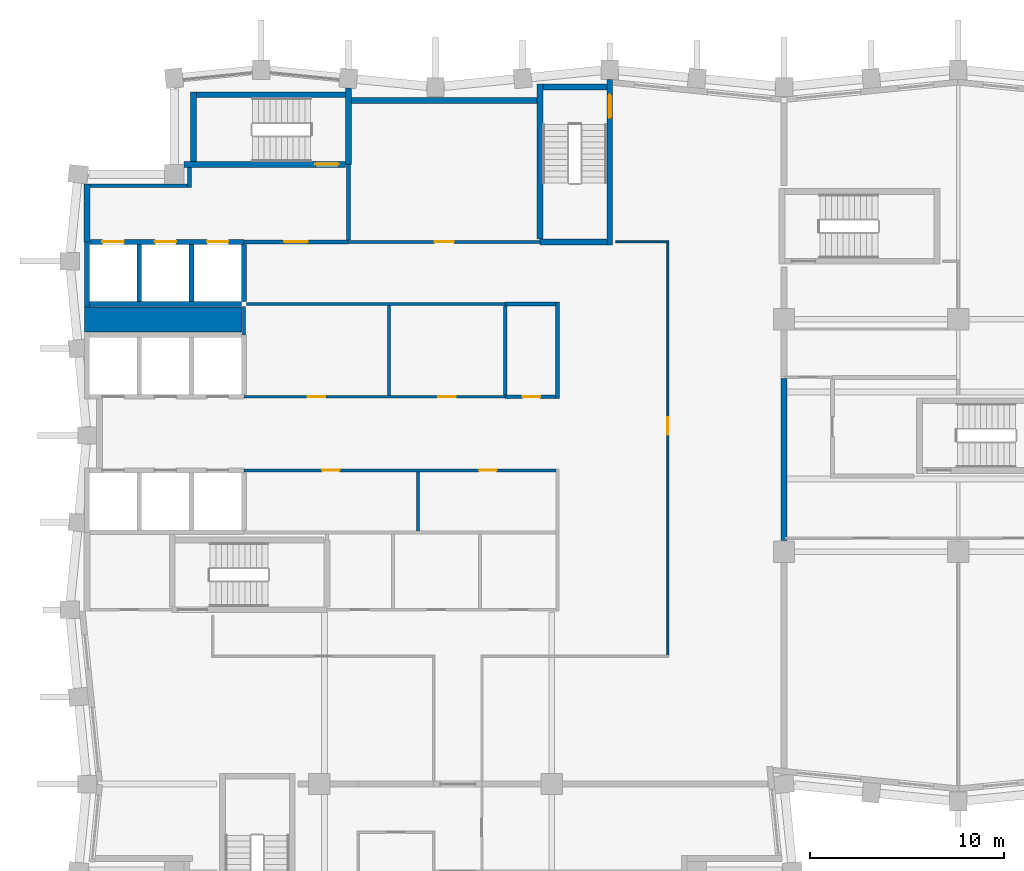
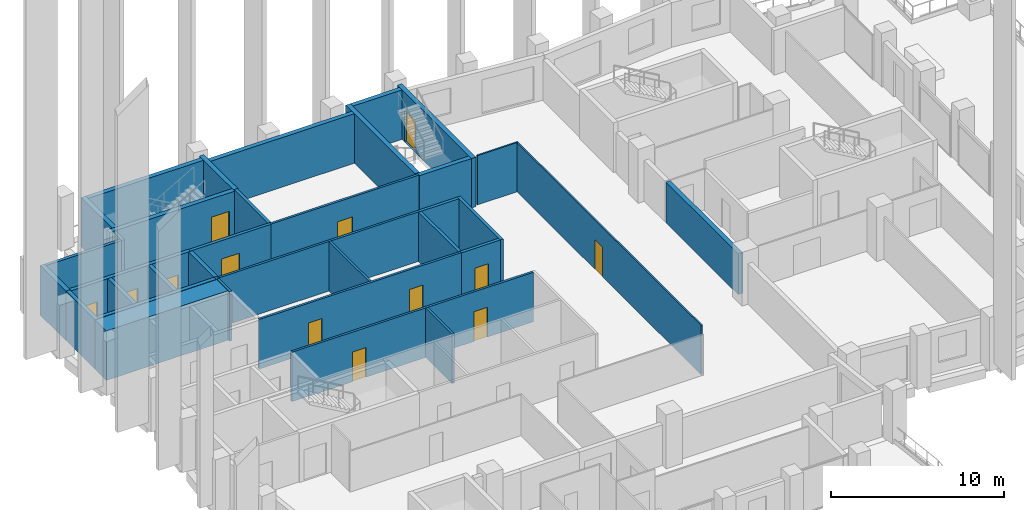
# One storey, part 13 of 19: 35 walls, 13 doors, 13 openings.
"""IFC4 building model written with IfcOpenShell, lengths in metres."""

from ifc_helpers import new_model, si_unit, direction, frame, frame_2d, origin, place, context, subcontext, project, spatial, rectangle, extrude, material, layer, layer_set, type_object, element, fill, save


model = new_model("IFC4")

# Units and contexts
model_context = context("Model", 3, precision=1e-05, world=origin(), true_north=direction((0.0, 1.0)))
body_context = subcontext(model_context, "Body", "Model", "MODEL_VIEW")
ifc_project = project(units=[si_unit("LENGTHUNIT", "METRE"), si_unit("AREAUNIT", "SQUARE_METRE"), si_unit("VOLUMEUNIT", "CUBIC_METRE"), si_unit("PLANEANGLEUNIT", "RADIAN"), si_unit("MASSUNIT", "GRAM", prefix="KILO")], contexts=[model_context])

# Site, building, storey
site_placement = place(None, origin())
site = spatial("IfcSite", under=ifc_project, at=site_placement, CompositionType="ELEMENT")
building_placement = place(site_placement, origin())
building = spatial("IfcBuilding", under=site, at=building_placement, Name="Brondeck Convention Tower", CompositionType="ELEMENT")
storey_placement = place(building_placement, frame((0.0, 0.0, 198.800048828125)))
storey = spatial("IfcBuildingStorey", under=building, at=storey_placement, Name="L48", CompositionType="ELEMENT", Elevation=198.800048828125)

# Walls
ifc_material_1 = material(Name="Concrete compartment wall C30/37", Category="concrete")
ifc_layer_1 = layer(ifc_material_1, 0.300048828125)
ifc_layer_set_1 = layer_set([ifc_layer_1], Name="Compartment wall 300")
wall_type_1 = type_object("IfcWallType", Name="Compartment wall 300", PredefinedType="PARTITIONING", material=ifc_layer_set_1)
wall_1_placement = place(storey_placement, frame((36.0, 39.570068359375, 0.0), z_axis=(0.0, 0.0, 1.0), x_axis=(0.0, 1.0, 0.0)))
element("IfcWall", 1, at=wall_1_placement, inside=storey, type_object=wall_type_1, Name="FLR-L48-W032", PredefinedType="PARTITIONING", context=body_context, shape_type="SweptSolid", body=[
    extrude(rectangle(XDim=8.3798828125, YDim=0.300048828125, at=frame_2d((4.18994140625, 0.0))), origin(), (0.0, 0.0, 1.0), 2.8798828125),
])
ifc_material_2 = material(Name="Concrete C50/60", Category="concrete")
ifc_layer_2 = layer(ifc_material_2, 0.199951171875)
ifc_layer_set_2 = layer_set([ifc_layer_2], Name="Core beam-seat wall 200 Concrete C50/60")
wall_type_2 = type_object("IfcWallType", Name="Core beam-seat wall 200 Concrete C50/60", PredefinedType="SHEAR", material=ifc_layer_set_2)
wall_2_placement = place(storey_placement, frame((24.300048828125, 46.89990234375, 0.0), z_axis=(0.0, 0.0, 1.0), x_axis=(0.0, 1.0, 0.0)))
element("IfcWall", 2, at=wall_2_placement, inside=storey, type_object=wall_type_2, Name="L48 core wall", PredefinedType="SHEAR", context=body_context, shape_type="SweptSolid", body=[
    extrude(rectangle(XDim=5.0, YDim=0.199951171875, at=frame_2d((2.5, 0.0))), origin(), (0.0, 0.0, 1.0), 3.5),
])
ifc_layer_3 = layer(ifc_material_2, 0.300048828125)
ifc_layer_set_3 = layer_set([ifc_layer_3], Name="Core outer wall 300 Concrete C50/60")
wall_type_3 = type_object("IfcWallType", Name="Core outer wall 300 Concrete C50/60", PredefinedType="SHEAR", material=ifc_layer_set_3)
wall_3_placement = place(storey_placement, frame((13.64990234375, 62.300048828125, 0.0), z_axis=(0.0, 0.0, 1.0), x_axis=(1.0, 0.0, 0.0)))
element("IfcWall", 3, at=wall_3_placement, inside=storey, type_object=wall_type_3, Name="L48 core wall", PredefinedType="SHEAR", context=body_context, shape_type="SweptSolid", body=[
    extrude(rectangle(XDim=9.60009765625, YDim=0.300048828125, at=frame_2d((4.800048828125, 0.0))), origin(), (0.0, 0.0, 1.0), 3.5),
])
wall_4_placement = place(storey_placement, frame((0.0, 55.0, 0.0), z_axis=(0.0, 0.0, 1.0), x_axis=(0.0, 1.0, 0.0)))
element("IfcWall", 4, at=wall_4_placement, inside=storey, type_object=wall_type_3, Name="L48 core wall", PredefinedType="SHEAR", context=body_context, shape_type="SweptSolid", body=[
    extrude(rectangle(XDim=3.0, YDim=0.300048828125, at=frame_2d((1.5, 0.0))), origin(), (0.0, 0.0, 1.0), 3.5),
])

# Wall, openings, doors
ifc_material_3 = material(Name="Fire-rated gypsum board partition")
ifc_layer_4 = layer(ifc_material_3, 0.14990234375)
ifc_layer_set_4 = layer_set([ifc_layer_4], Name="Core partition 150 EI 60")
wall_type_4 = type_object("IfcWallType", Name="Core partition 150 EI 60", PredefinedType="PARTITIONING", material=ifc_layer_set_4)
wall_5_placement = place(storey_placement, frame((8.10009765625, 43.199951171875, 0.0), z_axis=(0.0, 0.0, 1.0), x_axis=(1.0, 0.0, 0.0)))
wall_5 = element("IfcWall", 5, at=wall_5_placement, inside=storey, type_object=wall_type_4, Name="L48 core wall", PredefinedType="PARTITIONING", context=body_context, shape_type="SweptSolid", body=[
    extrude(rectangle(XDim=16.125, YDim=0.14990234375, at=frame_2d((8.0625, 0.0))), origin(), (0.0, 0.0, 1.0), 3.5),
])
opening_1_placement = place(wall_5_placement, frame((4.050048828125, 0.0, 0.0)))
opening_1 = element("IfcOpeningElement", 6, at=opening_1_placement, cuts=wall_5, Name="Opening C27-09", PredefinedType="OPENING", context=body_context, shape_type="SweptSolid", body=[
    extrude(rectangle(XDim=0.89990234375, YDim=2.10009765625, at=frame_2d((0.449951171875, 1.050048828125))), frame((0.0, 0.0849609375, 0.0), z_axis=(0.0, -1.0, 0.0), x_axis=(1.0, 0.0, 0.0)), (0.0, 0.0, 1.0), 0.169921875),
])
opening_2_placement = place(wall_5_placement, frame((12.14990234375, 0.0, 0.0)))
opening_2 = element("IfcOpeningElement", 7, at=opening_2_placement, cuts=wall_5, Name="Opening C27-10", PredefinedType="OPENING", context=body_context, shape_type="SweptSolid", body=[
    extrude(rectangle(XDim=0.89990234375, YDim=2.10009765625, at=frame_2d((0.449951171875, 1.050048828125))), frame((0.0, 0.0849609375, 0.0), z_axis=(0.0, -1.0, 0.0), x_axis=(1.0, 0.0, 0.0)), (0.0, 0.0, 1.0), 0.169921875),
])
ifc_material_4 = material(Name="Steel fire door", Category="steel")
door_type_1 = type_object("IfcDoorType", Name="Room door 900x2100 EI 60", OperationType="NOTDEFINED", PredefinedType="DOOR", material=ifc_material_4)
door_1_placement = place(opening_1_placement, origin())
door_1 = element("IfcDoor", 8, at=door_1_placement, inside=storey, type_object=door_type_1, Name="L48 Room door FZ-S-8.1-1", OperationType="SINGLE_SWING_RIGHT", OverallHeight=2.10009765625, OverallWidth=0.89990234375, PredefinedType="DOOR", context=body_context, shape_type="SweptSolid", body=[
    extrude(rectangle(XDim=0.89990234375, YDim=2.10009765625, at=frame_2d((0.449951171875, 1.050048828125))), frame((0.0, 0.02490234375, 0.0), z_axis=(0.0, -1.0, 0.0), x_axis=(1.0, 0.0, 0.0)), (0.0, 0.0, 1.0), 0.050048828125),
])
fill(opening_1, door_1)
door_2_placement = place(opening_2_placement, origin())
door_2 = element("IfcDoor", 9, at=door_2_placement, inside=storey, type_object=door_type_1, Name="L48 Room door FZ-S-8.1-2", OperationType="SINGLE_SWING_LEFT", OverallHeight=2.10009765625, OverallWidth=0.89990234375, PredefinedType="DOOR", context=body_context, shape_type="SweptSolid", body=[
    extrude(rectangle(XDim=0.89990234375, YDim=2.10009765625, at=frame_2d((0.449951171875, 1.050048828125))), frame((0.0, 0.02490234375, 0.0), z_axis=(0.0, -1.0, 0.0), x_axis=(1.0, 0.0, 0.0)), (0.0, 0.0, 1.0), 0.050048828125),
])
fill(opening_2, door_2)

wall_6_placement = place(storey_placement, frame((8.10009765625, 47.0, 0.0), z_axis=(0.0, 0.0, 1.0), x_axis=(1.0, 0.0, 0.0)))
wall_6 = element("IfcWall", 10, at=wall_6_placement, inside=storey, type_object=wall_type_4, Name="L48 core wall", PredefinedType="PARTITIONING", context=body_context, shape_type="SweptSolid", body=[
    extrude(rectangle(XDim=13.5, YDim=0.14990234375, at=frame_2d((6.75, 0.0))), origin(), (0.0, 0.0, 1.0), 3.5),
])
opening_3_placement = place(wall_6_placement, frame((3.300048828125, 0.0, 0.0)))
opening_3 = element("IfcOpeningElement", 11, at=opening_3_placement, cuts=wall_6, Name="Opening C27-07", PredefinedType="OPENING", context=body_context, shape_type="SweptSolid", body=[
    extrude(rectangle(XDim=0.89990234375, YDim=2.10009765625, at=frame_2d((0.449951171875, 1.050048828125))), frame((0.0, 0.0849609375, 0.0), z_axis=(0.0, -1.0, 0.0), x_axis=(1.0, 0.0, 0.0)), (0.0, 0.0, 1.0), 0.169921875),
])
opening_4_placement = place(wall_6_placement, frame((10.050048828125, 0.0, 0.0)))
opening_4 = element("IfcOpeningElement", 12, at=opening_4_placement, cuts=wall_6, Name="Opening C27-08", PredefinedType="OPENING", context=body_context, shape_type="SweptSolid", body=[
    extrude(rectangle(XDim=0.89990234375, YDim=2.10009765625, at=frame_2d((0.449951171875, 1.050048828125))), frame((0.0, 0.0849609375, 0.0), z_axis=(0.0, -1.0, 0.0), x_axis=(1.0, 0.0, 0.0)), (0.0, 0.0, 1.0), 0.169921875),
])
door_3_placement = place(opening_3_placement, origin())
door_3 = element("IfcDoor", 13, at=door_3_placement, inside=storey, type_object=door_type_1, Name="L48 Room door FZ-N-8.1-1", OperationType="SINGLE_SWING_LEFT", OverallHeight=2.10009765625, OverallWidth=0.89990234375, PredefinedType="DOOR", context=body_context, shape_type="SweptSolid", body=[
    extrude(rectangle(XDim=0.89990234375, YDim=2.10009765625, at=frame_2d((0.449951171875, 1.050048828125))), frame((0.0, 0.02490234375, 0.0), z_axis=(0.0, -1.0, 0.0), x_axis=(1.0, 0.0, 0.0)), (0.0, 0.0, 1.0), 0.050048828125),
])
fill(opening_3, door_3)
door_4_placement = place(opening_4_placement, origin())
door_4 = element("IfcDoor", 14, at=door_4_placement, inside=storey, type_object=door_type_1, Name="L48 Room door FZ-N-8.1-2", OperationType="SINGLE_SWING_RIGHT", OverallHeight=2.10009765625, OverallWidth=0.89990234375, PredefinedType="DOOR", context=body_context, shape_type="SweptSolid", body=[
    extrude(rectangle(XDim=0.89990234375, YDim=2.10009765625, at=frame_2d((0.449951171875, 1.050048828125))), frame((0.0, 0.02490234375, 0.0), z_axis=(0.0, -1.0, 0.0), x_axis=(1.0, 0.0, 0.0)), (0.0, 0.0, 1.0), 0.050048828125),
])
fill(opening_4, door_4)

# Wall
wall_7_placement = place(storey_placement, frame((8.22509765625, 51.800048828125, 0.0), z_axis=(0.0, 0.0, 1.0), x_axis=(1.0, 0.0, 0.0)))
element("IfcWall", 15, at=wall_7_placement, inside=storey, type_object=wall_type_4, Name="L48 core wall", PredefinedType="PARTITIONING", context=body_context, shape_type="SweptSolid", body=[
    extrude(rectangle(XDim=13.375, YDim=0.14990234375, at=frame_2d((6.6875, 0.0))), origin(), (0.0, 0.0, 1.0), 3.5),
])

# Wall, opening, door
wall_8_placement = place(storey_placement, frame((13.5, 55.0, 0.0), z_axis=(0.0, 0.0, 1.0), x_axis=(1.0, 0.0, 0.0)))
wall_8 = element("IfcWall", 16, at=wall_8_placement, inside=storey, type_object=wall_type_4, Name="L48 core wall", PredefinedType="PARTITIONING", context=body_context, shape_type="SweptSolid", body=[
    extrude(rectangle(XDim=9.89990234375, YDim=0.14990234375, at=frame_2d((4.949951171875, 0.0))), origin(), (0.0, 0.0, 1.0), 3.5),
])
opening_5_placement = place(wall_8_placement, frame((4.449951171875, 0.0, 0.0)))
opening_5 = element("IfcOpeningElement", 17, at=opening_5_placement, cuts=wall_8, Name="Opening C27-11", PredefinedType="OPENING", context=body_context, shape_type="SweptSolid", body=[
    extrude(rectangle(XDim=1.0, YDim=2.10009765625, at=frame_2d((0.5, 1.050048828125))), frame((0.0, 0.0849609375, 0.0), z_axis=(0.0, -1.0, 0.0), x_axis=(1.0, 0.0, 0.0)), (0.0, 0.0, 1.0), 0.169921875),
])
door_type_2 = type_object("IfcDoorType", Name="Room door 1000x2100 EI 60", OperationType="NOTDEFINED", PredefinedType="DOOR", material=ifc_material_4)
door_5_placement = place(opening_5_placement, origin())
door_5 = element("IfcDoor", 18, at=door_5_placement, inside=storey, type_object=door_type_2, Name="L48 Room door NE-1", OperationType="SINGLE_SWING_LEFT", OverallHeight=2.10009765625, OverallWidth=1.0, PredefinedType="DOOR", context=body_context, shape_type="SweptSolid", body=[
    extrude(rectangle(XDim=1.0, YDim=2.10009765625, at=frame_2d((0.5, 1.050048828125))), frame((0.0, 0.02490234375, 0.0), z_axis=(0.0, -1.0, 0.0), x_axis=(1.0, 0.0, 0.0)), (0.0, 0.0, 1.0), 0.050048828125),
])
fill(opening_5, door_5)

# Walls
wall_9_placement = place(storey_placement, frame((8.10009765625, 50.199951171875, 0.0), z_axis=(0.0, 0.0, 1.0), x_axis=(0.0, 1.0, 0.0)))
element("IfcWall", 19, at=wall_9_placement, inside=storey, type_object=wall_type_4, Name="L48 core wall", PredefinedType="PARTITIONING", context=body_context, shape_type="SweptSolid", body=[
    extrude(rectangle(XDim=1.47509765625, YDim=0.14990234375, at=frame_2d((0.737548828125, 0.0))), origin(), (0.0, 0.0, 1.0), 3.5),
])
wall_10_placement = place(storey_placement, frame((15.60009765625, 47.074951171875, 0.0), z_axis=(0.0, 0.0, 1.0), x_axis=(0.0, 1.0, 0.0)))
element("IfcWall", 20, at=wall_10_placement, inside=storey, type_object=wall_type_4, Name="L48 core wall", PredefinedType="PARTITIONING", context=body_context, shape_type="SweptSolid", body=[
    extrude(rectangle(XDim=4.650146484375, YDim=0.14990234375, at=frame_2d((2.3251953125, 0.0))), origin(), (0.0, 0.0, 1.0), 3.5),
])
wall_11_placement = place(storey_placement, frame((17.10009765625, 40.074951171875, 0.0), z_axis=(0.0, 0.0, 1.0), x_axis=(0.0, 1.0, 0.0)))
element("IfcWall", 21, at=wall_11_placement, inside=storey, type_object=wall_type_4, Name="L48 core wall", PredefinedType="PARTITIONING", context=body_context, shape_type="SweptSolid", body=[
    extrude(rectangle(XDim=3.050048828125, YDim=0.14990234375, at=frame_2d((1.52490234375, 0.0))), origin(), (0.0, 0.0, 1.0), 3.5),
])
ifc_layer_5 = layer(ifc_material_2, 1.300048828125)
ifc_layer_set_5 = layer_set([ifc_layer_5], Name="Core shear wall 1300 Concrete C50/60")
wall_type_5 = type_object("IfcWallType", Name="Core shear wall 1300 Concrete C50/60", PredefinedType="SHEAR", material=ifc_layer_set_5)
wall_12_placement = place(storey_placement, frame((-0.125, 51.0, 0.0), z_axis=(0.0, 0.0, 1.0), x_axis=(1.0, 0.0, 0.0)))
element("IfcWall", 22, at=wall_12_placement, inside=storey, type_object=wall_type_5, Name="L48 core wall", PredefinedType="SHEAR", context=body_context, shape_type="SweptSolid", body=[
    extrude(rectangle(XDim=8.125, YDim=1.300048828125, at=frame_2d((4.0625, 0.0))), origin(), (0.0, 0.0, 1.0), 3.5),
])

# Wall, opening, door
ifc_layer_6 = layer(ifc_material_3, 0.199951171875)
ifc_layer_set_6 = layer_set([ifc_layer_6], Name="Firefighting lobby wall 200 EI 120")
wall_type_6 = type_object("IfcWallType", Name="Firefighting lobby wall 200 EI 120", PredefinedType="PARTITIONING", material=ifc_layer_set_6)
wall_13_placement = place(storey_placement, frame((8.10009765625, 55.0, 0.0), z_axis=(0.0, 0.0, 1.0), x_axis=(1.0, 0.0, 0.0)))
wall_13 = element("IfcWall", 23, at=wall_13_placement, inside=storey, type_object=wall_type_6, Name="L48 core wall", PredefinedType="PARTITIONING", context=body_context, shape_type="SweptSolid", body=[
    extrude(rectangle(XDim=5.39990234375, YDim=0.199951171875, at=frame_2d((2.699951171875, 0.0))), origin(), (0.0, 0.0, 1.0), 3.5),
])
opening_6_placement = place(wall_13_placement, frame((2.10009765625, 0.0, 0.0)))
opening_6 = element("IfcOpeningElement", 24, at=opening_6_placement, cuts=wall_13, Name="Opening C27-01", PredefinedType="OPENING", context=body_context, shape_type="SweptSolid", body=[
    extrude(rectangle(XDim=1.199951171875, YDim=2.199951171875, at=frame_2d((0.60009765625, 1.10009765625))), frame((0.0, 0.10986328125, 0.0), z_axis=(0.0, -1.0, 0.0), x_axis=(1.0, 0.0, 0.0)), (0.0, 0.0, 1.0), 0.219970703125),
])
door_type_3 = type_object("IfcDoorType", Name="Firefighting lobby door 1200x2200 EI 120", OperationType="NOTDEFINED", PredefinedType="DOOR", material=ifc_material_4)
door_6_placement = place(opening_6_placement, origin())
door_6 = element("IfcDoor", 25, at=door_6_placement, inside=storey, type_object=door_type_3, Name="L48 Firefighting lobby door FFL-1", OperationType="SINGLE_SWING_RIGHT", OverallHeight=2.199951171875, OverallWidth=1.199951171875, PredefinedType="DOOR", context=body_context, shape_type="SweptSolid", body=[
    extrude(rectangle(XDim=1.199951171875, YDim=2.199951171875, at=frame_2d((0.60009765625, 1.10009765625))), frame((0.0, 0.02490234375, 0.0), z_axis=(0.0, -1.0, 0.0), x_axis=(1.0, 0.0, 0.0)), (0.0, 0.0, 1.0), 0.050048828125),
])
fill(opening_6, door_6)

# Walls
wall_14_placement = place(storey_placement, frame((0.14990234375, 57.89990234375, 0.0), z_axis=(0.0, 0.0, 1.0), x_axis=(1.0, 0.0, 0.0)))
element("IfcWall", 26, at=wall_14_placement, inside=storey, type_object=wall_type_6, Name="L48 core wall", PredefinedType="PARTITIONING", context=body_context, shape_type="SweptSolid", body=[
    extrude(rectangle(XDim=5.050048828125, YDim=0.199951171875, at=frame_2d((2.52490234375, 0.0))), origin(), (0.0, 0.0, 1.0), 3.5),
])
wall_15_placement = place(storey_placement, frame((5.300048828125, 57.800048828125, 0.0), z_axis=(0.0, 0.0, 1.0), x_axis=(0.0, 1.0, 0.0)))
element("IfcWall", 27, at=wall_15_placement, inside=storey, type_object=wall_type_6, Name="L48 core wall", PredefinedType="PARTITIONING", context=body_context, shape_type="SweptSolid", body=[
    extrude(rectangle(XDim=1.050048828125, YDim=0.199951171875, at=frame_2d((0.52490234375, 0.0))), origin(), (0.0, 0.0, 1.0), 3.5),
])
wall_16_placement = place(storey_placement, frame((13.5, 55.10009765625, 0.0), z_axis=(0.0, 0.0, 1.0), x_axis=(0.0, 1.0, 0.0)))
element("IfcWall", 28, at=wall_16_placement, inside=storey, type_object=wall_type_6, Name="L48 core wall", PredefinedType="PARTITIONING", context=body_context, shape_type="SweptSolid", body=[
    extrude(rectangle(XDim=3.89990234375, YDim=0.199951171875, at=frame_2d((1.949951171875, 0.0))), origin(), (0.0, 0.0, 1.0), 3.5),
])
ifc_layer_7 = layer(ifc_material_2, 0.25)
ifc_layer_set_7 = layer_set([ifc_layer_7], Name="Lift shaft wall 250 Concrete C50/60")
wall_type_7 = type_object("IfcWallType", Name="Lift shaft wall 250 Concrete C50/60", PredefinedType="SHEAR", material=ifc_layer_set_7)
wall_17_placement = place(storey_placement, frame((0.125, 51.800048828125, 0.0), z_axis=(0.0, 0.0, 1.0), x_axis=(1.0, 0.0, 0.0)))
element("IfcWall", 29, at=wall_17_placement, inside=storey, type_object=wall_type_7, Name="L48 core wall", PredefinedType="SHEAR", context=body_context, shape_type="SweptSolid", body=[
    extrude(rectangle(XDim=7.85009765625, YDim=0.25, at=frame_2d((3.925048828125, 0.0))), origin(), (0.0, 0.0, 1.0), 3.5),
])

# Wall, openings, doors
wall_18_placement = place(storey_placement, frame((0.14990234375, 55.0, 0.0), z_axis=(0.0, 0.0, 1.0), x_axis=(1.0, 0.0, 0.0)))
wall_18 = element("IfcWall", 30, at=wall_18_placement, inside=storey, type_object=wall_type_7, Name="L48 core wall", PredefinedType="SHEAR", context=body_context, shape_type="SweptSolid", body=[
    extrude(rectangle(XDim=7.9501953125, YDim=0.25, at=frame_2d((3.97509765625, 0.0))), origin(), (0.0, 0.0, 1.0), 3.5),
])
opening_7_placement = place(wall_18_placement, frame((0.64990234375, 0.0, 0.0)))
opening_7 = element("IfcOpeningElement", 31, at=opening_7_placement, cuts=wall_18, Name="Opening C27-18", PredefinedType="OPENING", context=body_context, shape_type="SweptSolid", body=[
    extrude(rectangle(XDim=1.10009765625, YDim=2.10009765625, at=frame_2d((0.550048828125, 1.050048828125))), frame((0.0, 0.135009765625, 0.0), z_axis=(0.0, -1.0, 0.0), x_axis=(1.0, 0.0, 0.0)), (0.0, 0.0, 1.0), 0.27001953125),
])
opening_8_placement = place(wall_18_placement, frame((3.35009765625, 0.0, 0.0)))
opening_8 = element("IfcOpeningElement", 32, at=opening_8_placement, cuts=wall_18, Name="Opening C27-19", PredefinedType="OPENING", context=body_context, shape_type="SweptSolid", body=[
    extrude(rectangle(XDim=1.10009765625, YDim=2.10009765625, at=frame_2d((0.550048828125, 1.050048828125))), frame((0.0, 0.135009765625, 0.0), z_axis=(0.0, -1.0, 0.0), x_axis=(1.0, 0.0, 0.0)), (0.0, 0.0, 1.0), 0.27001953125),
])
opening_9_placement = place(wall_18_placement, frame((6.050048828125, 0.0, 0.0)))
opening_9 = element("IfcOpeningElement", 33, at=opening_9_placement, cuts=wall_18, Name="Opening C27-20", PredefinedType="OPENING", context=body_context, shape_type="SweptSolid", body=[
    extrude(rectangle(XDim=1.10009765625, YDim=2.10009765625, at=frame_2d((0.550048828125, 1.050048828125))), frame((0.0, 0.135009765625, 0.0), z_axis=(0.0, -1.0, 0.0), x_axis=(1.0, 0.0, 0.0)), (0.0, 0.0, 1.0), 0.27001953125),
])
ifc_material_5 = material(Name="Stainless steel lift door", Category="steel")
door_type_4 = type_object("IfcDoorType", Name="Lift landing door 1100x2100 EI 180", OperationType="DOUBLE_DOOR_SLIDING", PredefinedType="DOOR", material=ifc_material_5)
door_7_placement = place(opening_7_placement, origin())
door_7 = element("IfcDoor", 34, at=door_7_placement, inside=storey, type_object=door_type_4, Name="L48 Lift landing door FF1", OperationType="DOUBLE_DOOR_SLIDING", OverallHeight=2.10009765625, OverallWidth=1.10009765625, PredefinedType="DOOR", context=body_context, shape_type="SweptSolid", body=[
    extrude(rectangle(XDim=1.10009765625, YDim=2.10009765625, at=frame_2d((0.550048828125, 1.050048828125))), frame((0.0, 0.02490234375, 0.0), z_axis=(0.0, -1.0, 0.0), x_axis=(1.0, 0.0, 0.0)), (0.0, 0.0, 1.0), 0.050048828125),
])
fill(opening_7, door_7)
door_8_placement = place(opening_8_placement, origin())
door_8 = element("IfcDoor", 35, at=door_8_placement, inside=storey, type_object=door_type_4, Name="L48 Lift landing door FF2", OperationType="DOUBLE_DOOR_SLIDING", OverallHeight=2.10009765625, OverallWidth=1.10009765625, PredefinedType="DOOR", context=body_context, shape_type="SweptSolid", body=[
    extrude(rectangle(XDim=1.10009765625, YDim=2.10009765625, at=frame_2d((0.550048828125, 1.050048828125))), frame((0.0, 0.02490234375, 0.0), z_axis=(0.0, -1.0, 0.0), x_axis=(1.0, 0.0, 0.0)), (0.0, 0.0, 1.0), 0.050048828125),
])
fill(opening_8, door_8)
door_9_placement = place(opening_9_placement, origin())
door_9 = element("IfcDoor", 36, at=door_9_placement, inside=storey, type_object=door_type_4, Name="L48 Lift landing door FF3", OperationType="DOUBLE_DOOR_SLIDING", OverallHeight=2.10009765625, OverallWidth=1.10009765625, PredefinedType="DOOR", context=body_context, shape_type="SweptSolid", body=[
    extrude(rectangle(XDim=1.10009765625, YDim=2.10009765625, at=frame_2d((0.550048828125, 1.050048828125))), frame((0.0, 0.02490234375, 0.0), z_axis=(0.0, -1.0, 0.0), x_axis=(1.0, 0.0, 0.0)), (0.0, 0.0, 1.0), 0.050048828125),
])
fill(opening_9, door_9)

# Walls
wall_19_placement = place(storey_placement, frame((0.0, 51.64990234375, 0.0), z_axis=(0.0, 0.0, 1.0), x_axis=(0.0, 1.0, 0.0)))
element("IfcWall", 37, at=wall_19_placement, inside=storey, type_object=wall_type_7, Name="L48 core wall", PredefinedType="SHEAR", context=body_context, shape_type="SweptSolid", body=[
    extrude(rectangle(XDim=3.35009765625, YDim=0.25, at=frame_2d((1.675048828125, 0.0))), origin(), (0.0, 0.0, 1.0), 3.5),
])
for number, where, z_axis, x_axis, name in (
    (38, (2.699951171875, 51.925048828125, 0.0), (0.0, 0.0, 1.0), (0.0, 1.0, 0.0), "L48 core wall"),
    (39, (5.39990234375, 51.925048828125, 0.0), (0.0, 0.0, 1.0), (0.0, 1.0, 0.0), "L48 core wall"),
    (40, (8.10009765625, 51.925048828125, 0.0), (0.0, 0.0, 1.0), (0.0, 1.0, 0.0), "L48 core wall"),
):
    element("IfcWall", number, at=place(storey_placement, frame(where, z_axis=z_axis, x_axis=x_axis)), inside=storey, type_object=wall_type_7, Name=name, PredefinedType="SHEAR", context=body_context, shape_type="SweptSolid", body=[
        extrude(rectangle(XDim=2.949951171875, YDim=0.25, at=frame_2d((1.47509765625, 0.0))), origin(), (0.0, 0.0, 1.0), 3.5),
    ])

# Wall, opening, door
ifc_layer_8 = layer(ifc_material_3, 0.199951171875)
ifc_layer_set_8 = layer_set([ifc_layer_8], Name="Riser wall 200 EI 120")
wall_type_8 = type_object("IfcWallType", Name="Riser wall 200 EI 120", PredefinedType="PARTITIONING", material=ifc_layer_set_8)
wall_20_placement = place(storey_placement, frame((21.60009765625, 47.0, 0.0), z_axis=(0.0, 0.0, 1.0), x_axis=(1.0, 0.0, 0.0)))
wall_20 = element("IfcWall", 41, at=wall_20_placement, inside=storey, type_object=wall_type_8, Name="L48 core wall", PredefinedType="PARTITIONING", context=body_context, shape_type="SweptSolid", body=[
    extrude(rectangle(XDim=2.599853515625, YDim=0.199951171875, at=frame_2d((1.2998046875, 0.0))), origin(), (0.0, 0.0, 1.0), 3.5),
])
opening_10_placement = place(wall_20_placement, frame((0.89990234375, 0.0, 0.0)))
opening_10 = element("IfcOpeningElement", 42, at=opening_10_placement, cuts=wall_20, Name="Opening C27-02", PredefinedType="OPENING", context=body_context, shape_type="SweptSolid", body=[
    extrude(rectangle(XDim=0.89990234375, YDim=2.10009765625, at=frame_2d((0.449951171875, 1.050048828125))), frame((0.0, 0.10986328125, 0.0), z_axis=(0.0, -1.0, 0.0), x_axis=(1.0, 0.0, 0.0)), (0.0, 0.0, 1.0), 0.219970703125),
])
door_type_5 = type_object("IfcDoorType", Name="Riser door 900x2100 EI 120", OperationType="NOTDEFINED", PredefinedType="DOOR", material=ifc_material_4)
door_10_placement = place(opening_10_placement, origin())
door_10 = element("IfcDoor", 43, at=door_10_placement, inside=storey, type_object=door_type_5, Name="L48 Riser door EN-1", OperationType="SINGLE_SWING_LEFT", OverallHeight=2.10009765625, OverallWidth=0.89990234375, PredefinedType="DOOR", context=body_context, shape_type="SweptSolid", body=[
    extrude(rectangle(XDim=0.89990234375, YDim=2.10009765625, at=frame_2d((0.449951171875, 1.050048828125))), frame((0.0, 0.02490234375, 0.0), z_axis=(0.0, -1.0, 0.0), x_axis=(1.0, 0.0, 0.0)), (0.0, 0.0, 1.0), 0.050048828125),
])
fill(opening_10, door_10)

# Walls
wall_21_placement = place(storey_placement, frame((21.60009765625, 51.800048828125, 0.0), z_axis=(0.0, 0.0, 1.0), x_axis=(1.0, 0.0, 0.0)))
element("IfcWall", 44, at=wall_21_placement, inside=storey, type_object=wall_type_8, Name="L48 core wall", PredefinedType="PARTITIONING", context=body_context, shape_type="SweptSolid", body=[
    extrude(rectangle(XDim=2.599853515625, YDim=0.199951171875, at=frame_2d((1.2998046875, 0.0))), origin(), (0.0, 0.0, 1.0), 3.5),
])
wall_22_placement = place(storey_placement, frame((21.60009765625, 47.10009765625, 0.0), z_axis=(0.0, 0.0, 1.0), x_axis=(0.0, 1.0, 0.0)))
element("IfcWall", 45, at=wall_22_placement, inside=storey, type_object=wall_type_8, Name="L48 core wall", PredefinedType="PARTITIONING", context=body_context, shape_type="SweptSolid", body=[
    extrude(rectangle(XDim=4.599853515625, YDim=0.199951171875, at=frame_2d((2.2998046875, 0.0))), origin(), (0.0, 0.0, 1.0), 3.5),
])

# Wall, opening, door
ifc_material_6 = material(Name="Gypsum board partition on steel studs", Category="steel")
ifc_layer_9 = layer(ifc_material_6, 0.10009765625)
ifc_layer_set_9 = layer_set([ifc_layer_9], Name="Room partition 100")
wall_type_9 = type_object("IfcWallType", Name="Room partition 100", PredefinedType="PARTITIONING", material=ifc_layer_set_9)
wall_23_placement = place(storey_placement, frame((30.0, 54.949951171875, 0.0), z_axis=(0.0, 0.0, 1.0), x_axis=(0.0, -1.0, 0.0)))
wall_23 = element("IfcWall", 46, at=wall_23_placement, inside=storey, type_object=wall_type_9, Name="FLR-L48-W045", PredefinedType="PARTITIONING", context=body_context, shape_type="SweptSolid", body=[
    extrude(rectangle(XDim=21.300048828125, YDim=0.10009765625, at=frame_2d((10.64990234375, 0.0))), origin(), (0.0, 0.0, 1.0), 3.47998046875),
])
opening_11_placement = place(wall_23_placement, frame((9.0, 0.0, 0.0)))
opening_11 = element("IfcOpeningElement", 47, at=opening_11_placement, cuts=wall_23, Name="Opening OF-K-010", PredefinedType="OPENING", context=body_context, shape_type="SweptSolid", body=[
    extrude(rectangle(XDim=0.89990234375, YDim=2.10009765625, at=frame_2d((0.449951171875, 1.050048828125))), frame((0.0, 0.06005859375, 0.0), z_axis=(0.0, -1.0, 0.0), x_axis=(1.0, 0.0, 0.0)), (0.0, 0.0, 1.0), 0.1201171875),
])
ifc_material_7 = material(Name="Solid timber door leaf", Category="wood")
door_type_6 = type_object("IfcDoorType", Name="Single door 900", OperationType="NOTDEFINED", PredefinedType="DOOR", material=ifc_material_7)
door_11_placement = place(opening_11_placement, origin())
door_11 = element("IfcDoor", 48, at=door_11_placement, inside=storey, type_object=door_type_6, Name="Door OF-K-010", OperationType="SINGLE_SWING_LEFT", OverallHeight=2.10009765625, OverallWidth=0.89990234375, PredefinedType="DOOR", context=body_context, shape_type="SweptSolid", body=[
    extrude(rectangle(XDim=0.89990234375, YDim=2.10009765625, at=frame_2d((0.449951171875, 1.050048828125))), frame((0.0, 0.02490234375, 0.0), z_axis=(0.0, -1.0, 0.0), x_axis=(1.0, 0.0, 0.0)), (0.0, 0.0, 1.0), 0.050048828125),
])
fill(opening_11, door_11)

# Walls
wall_24_placement = place(storey_placement, frame((27.300048828125, 55.0, 0.0), z_axis=(0.0, 0.0, 1.0), x_axis=(1.0, 0.0, 0.0)))
element("IfcWall", 49, at=wall_24_placement, inside=storey, type_object=wall_type_9, Name="FLR-L48-W046", PredefinedType="PARTITIONING", context=body_context, shape_type="SweptSolid", body=[
    extrude(rectangle(XDim=2.75, YDim=0.10009765625, at=frame_2d((1.375, 0.0))), origin(), (0.0, 0.0, 1.0), 3.47998046875),
])
ifc_layer_10 = layer(ifc_material_2, 0.300048828125)
ifc_layer_set_10 = layer_set([ifc_layer_10], Name="Stair enclosure wall 300 Concrete C50/60")
wall_type_10 = type_object("IfcWallType", Name="Stair enclosure wall 300 Concrete C50/60", PredefinedType="SHEAR", material=ifc_layer_set_10)
wall_25_placement = place(storey_placement, frame((23.39990234375, 55.0, 0.0), z_axis=(0.0, 0.0, 1.0), x_axis=(1.0, 0.0, 0.0)))
element("IfcWall", 50, at=wall_25_placement, inside=storey, type_object=wall_type_10, Name="L48 core wall", PredefinedType="SHEAR", context=body_context, shape_type="SweptSolid", body=[
    extrude(rectangle(XDim=3.4501953125, YDim=0.300048828125, at=frame_2d((1.72509765625, 0.0))), origin(), (0.0, 0.0, 1.0), 3.5),
])

# Wall, opening, door
wall_26_placement = place(storey_placement, frame((5.0, 59.0, 0.0), z_axis=(0.0, 0.0, 1.0), x_axis=(1.0, 0.0, 0.0)))
wall_26 = element("IfcWall", 51, at=wall_26_placement, inside=storey, type_object=wall_type_10, Name="L48 core wall", PredefinedType="SHEAR", context=body_context, shape_type="SweptSolid", body=[
    extrude(rectangle(XDim=8.35009765625, YDim=0.300048828125, at=frame_2d((4.175048828125, 0.0))), origin(), (0.0, 0.0, 1.0), 3.5),
])
opening_12_placement = place(wall_26_placement, frame((6.800048828125, 0.0, 0.0)))
opening_12 = element("IfcOpeningElement", 52, at=opening_12_placement, cuts=wall_26, Name="Opening C27-14", PredefinedType="OPENING", context=body_context, shape_type="SweptSolid", body=[
    extrude(rectangle(XDim=1.199951171875, YDim=2.199951171875, at=frame_2d((0.60009765625, 1.10009765625))), frame((0.0, 0.159912109375, 0.0), z_axis=(0.0, -1.0, 0.0), x_axis=(1.0, 0.0, 0.0)), (0.0, 0.0, 1.0), 0.320068359375),
])
door_type_7 = type_object("IfcDoorType", Name="Stair door 1200x2200 EI 120", OperationType="NOTDEFINED", PredefinedType="DOOR", material=ifc_material_4)
door_12_placement = place(opening_12_placement, origin())
door_12 = element("IfcDoor", 53, at=door_12_placement, inside=storey, type_object=door_type_7, Name="L48 Stair door ST-3", OperationType="SINGLE_SWING_RIGHT", OverallHeight=2.199951171875, OverallWidth=1.199951171875, PredefinedType="DOOR", context=body_context, shape_type="SweptSolid", body=[
    extrude(rectangle(XDim=1.199951171875, YDim=2.199951171875, at=frame_2d((0.60009765625, 1.10009765625))), frame((0.0, 0.02490234375, 0.0), z_axis=(0.0, -1.0, 0.0), x_axis=(1.0, 0.0, 0.0)), (0.0, 0.0, 1.0), 0.050048828125),
])
fill(opening_12, door_12)

# Walls
wall_27_placement = place(storey_placement, frame((5.64990234375, 62.60009765625, 0.0), z_axis=(0.0, 0.0, 1.0), x_axis=(1.0, 0.0, 0.0)))
element("IfcWall", 54, at=wall_27_placement, inside=storey, type_object=wall_type_10, Name="L48 core wall", PredefinedType="SHEAR", context=body_context, shape_type="SweptSolid", body=[
    extrude(rectangle(XDim=7.7001953125, YDim=0.300048828125, at=frame_2d((3.85009765625, 0.0))), origin(), (0.0, 0.0, 1.0), 3.5),
])
wall_28_placement = place(storey_placement, frame((23.550048828125, 63.0, 0.0), z_axis=(0.0, 0.0, 1.0), x_axis=(1.0, 0.0, 0.0)))
element("IfcWall", 55, at=wall_28_placement, inside=storey, type_object=wall_type_10, Name="L48 core wall", PredefinedType="SHEAR", context=body_context, shape_type="SweptSolid", body=[
    extrude(rectangle(XDim=3.300048828125, YDim=0.300048828125, at=frame_2d((1.64990234375, 0.0))), origin(), (0.0, 0.0, 1.0), 3.5),
])
wall_29_placement = place(storey_placement, frame((5.5, 59.14990234375, 0.0), z_axis=(0.0, 0.0, 1.0), x_axis=(0.0, 1.0, 0.0)))
element("IfcWall", 56, at=wall_29_placement, inside=storey, type_object=wall_type_10, Name="L48 core wall", PredefinedType="SHEAR", context=body_context, shape_type="SweptSolid", body=[
    extrude(rectangle(XDim=3.60009765625, YDim=0.300048828125, at=frame_2d((1.800048828125, 0.0))), origin(), (0.0, 0.0, 1.0), 3.5),
])
wall_30_placement = place(storey_placement, frame((13.5, 59.0, 0.0), z_axis=(0.0, 0.0, 1.0), x_axis=(0.0, 1.0, 0.0)))
element("IfcWall", 57, at=wall_30_placement, inside=storey, type_object=wall_type_10, Name="L48 core wall", PredefinedType="SHEAR", context=body_context, shape_type="SweptSolid", body=[
    extrude(rectangle(XDim=3.947509765625, YDim=0.300048828125, at=frame_2d((1.9736328125, 0.0))), origin(), (0.0, 0.0, 1.0), 3.5),
])
wall_31_placement = place(storey_placement, frame((23.39990234375, 55.14990234375, 0.0), z_axis=(0.0, 0.0, 1.0), x_axis=(0.0, 1.0, 0.0)))
element("IfcWall", 58, at=wall_31_placement, inside=storey, type_object=wall_type_10, Name="L48 core wall", PredefinedType="SHEAR", context=body_context, shape_type="SweptSolid", body=[
    extrude(rectangle(XDim=8.0, YDim=0.300048828125, at=frame_2d((4.0, 0.0))), origin(), (0.0, 0.0, 1.0), 3.5),
])

# Wall, opening, door
wall_32_placement = place(storey_placement, frame((27.0, 54.85009765625, 0.0), z_axis=(0.0, 0.0, 1.0), x_axis=(0.0, 1.0, 0.0)))
wall_32 = element("IfcWall", 59, at=wall_32_placement, inside=storey, type_object=wall_type_10, Name="L48 core wall", PredefinedType="SHEAR", context=body_context, shape_type="SweptSolid", body=[
    extrude(rectangle(XDim=8.5498046875, YDim=0.300048828125, at=frame_2d((4.27490234375, 0.0))), origin(), (0.0, 0.0, 1.0), 3.5),
])
opening_13_placement = place(wall_32_placement, frame((6.550048828125, 0.0, 0.0)))
opening_13 = element("IfcOpeningElement", 60, at=opening_13_placement, cuts=wall_32, Name="Opening C27-13", PredefinedType="OPENING", context=body_context, shape_type="SweptSolid", body=[
    extrude(rectangle(XDim=1.199951171875, YDim=2.199951171875, at=frame_2d((0.60009765625, 1.10009765625))), frame((0.0, 0.159912109375, 0.0), z_axis=(0.0, -1.0, 0.0), x_axis=(1.0, 0.0, 0.0)), (0.0, 0.0, 1.0), 0.320068359375),
])
door_type_8 = type_object("IfcDoorType", Name="Stair door 1200x2200 EI 90", OperationType="NOTDEFINED", PredefinedType="DOOR", material=ifc_material_4)
door_13_placement = place(opening_13_placement, origin())
door_13 = element("IfcDoor", 61, at=door_13_placement, inside=storey, type_object=door_type_8, Name="L48 Stair door ST-2", OperationType="SINGLE_SWING_LEFT", OverallHeight=2.199951171875, OverallWidth=1.199951171875, PredefinedType="DOOR", context=body_context, shape_type="SweptSolid", body=[
    extrude(rectangle(XDim=1.199951171875, YDim=2.199951171875, at=frame_2d((0.60009765625, 1.10009765625))), frame((0.0, 0.02490234375, 0.0), z_axis=(0.0, -1.0, 0.0), x_axis=(1.0, 0.0, 0.0)), (0.0, 0.0, 1.0), 0.050048828125),
])
fill(opening_13, door_13)

save(model, "model.ifc")
